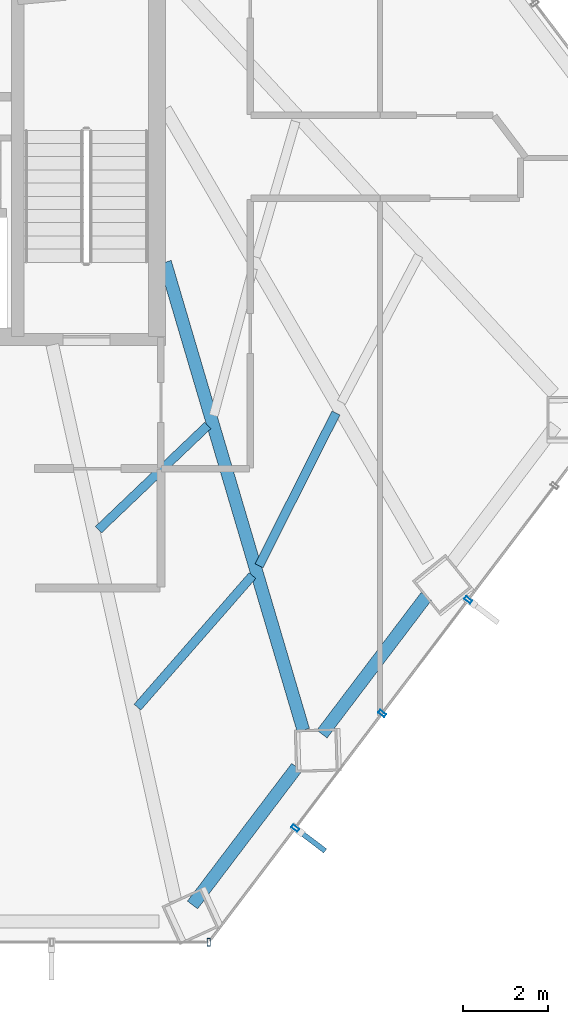
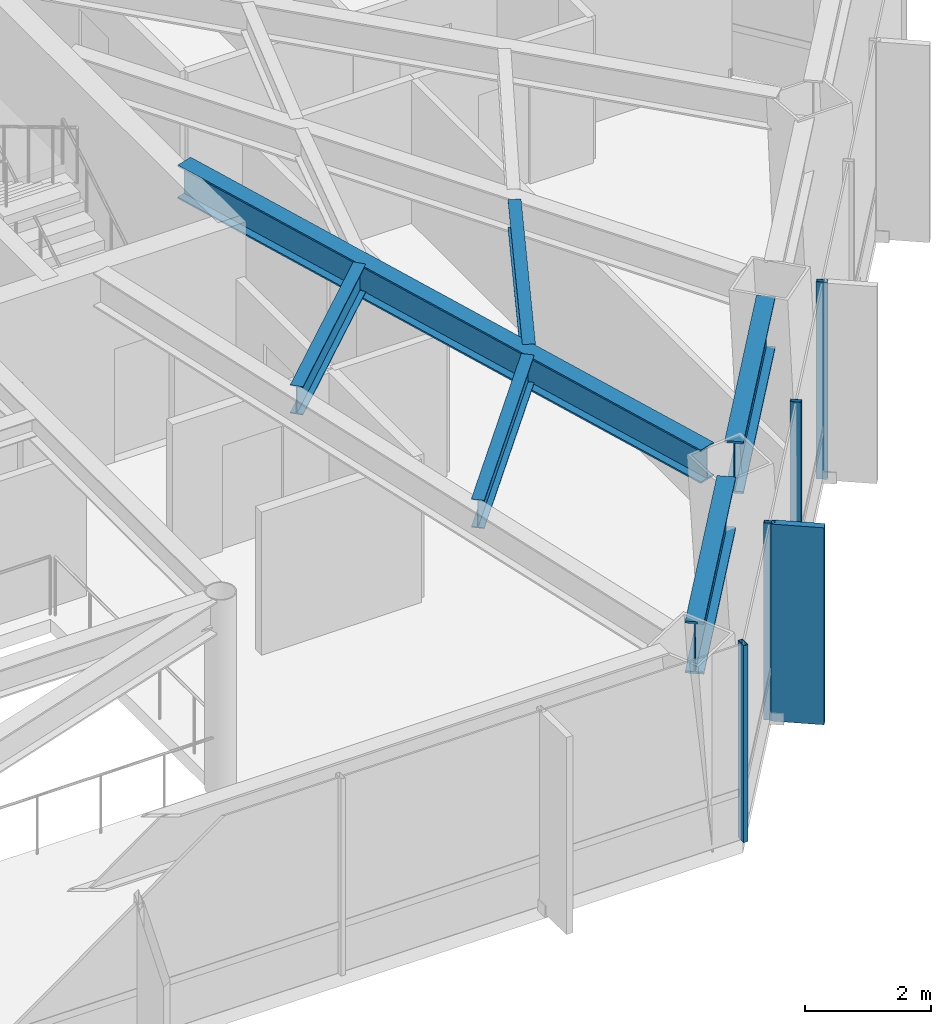
# One storey, part 18 of 27: 6 beams, 5 members, 2 elements without a shape of their own.
"""IFC4 building model written with IfcOpenShell, lengths in metres."""

from ifc_helpers import new_model, si_unit, direction, frame, origin, origin_2d, place, context, subcontext, project, spatial, rectangle, hollow_rectangle, i_section, extrude, material, layer, layer_set, material_profile, profile_set, type_object, element, aggregate, save


model = new_model("IFC4")

# Units and contexts
model_context = context("Model", 3, precision=1e-05, world=origin(), true_north=direction((0.0, 1.0)))
body_context = subcontext(model_context, "Body", "Model", "MODEL_VIEW")
ifc_project = project(units=[si_unit("LENGTHUNIT", "METRE"), si_unit("AREAUNIT", "SQUARE_METRE"), si_unit("VOLUMEUNIT", "CUBIC_METRE"), si_unit("PLANEANGLEUNIT", "RADIAN"), si_unit("MASSUNIT", "GRAM", prefix="KILO")], contexts=[model_context])

# Site, building, storey
site_placement = place(None, origin())
site = spatial("IfcSite", under=ifc_project, at=site_placement, CompositionType="ELEMENT")
building_placement = place(site_placement, origin())
building = spatial("IfcBuilding", under=site, at=building_placement, Name="Zarrinselat Tower", CompositionType="ELEMENT")
storey_placement = place(building_placement, frame((0.0, 0.0, 47.93994140625)))
storey = spatial("IfcBuildingStorey", under=building, at=storey_placement, Name="L11", CompositionType="ELEMENT", Elevation=47.93994140625)

# Beams
ifc_material_1 = material(Name="Steel S355J2", Category="steel")
ifc_material_profile_1 = material_profile(ifc_material_1, i_section(OverallWidth=0.300048828125, OverallDepth=0.64990234375, WebThickness=0.01611328125, FlangeThickness=0.031005859375, at=origin_2d()), Name="HEB 650")
ifc_profile_set_1 = profile_set([ifc_material_profile_1], Name="Steel S355J2")
beam_type_1 = type_object("IfcBeamType", Name="BM-HEB650", PredefinedType="BEAM", material=ifc_profile_set_1)
beam_1_placement = place(storey_placement, frame((48.449951171875, 35.0, 3.4951171875), z_axis=(0.283345695838, -0.959017839589, 0.0), x_axis=(0.959017839589, 0.283345695838, 0.0)))
element("IfcBeam", 1, at=beam_1_placement, inside=storey, type_object=beam_type_1, Name="L11 Radial Primary Girder RG12", PredefinedType="BEAM", context=body_context, shape_type="SweptSolid", body=[
    extrude(i_section(OverallWidth=0.300048828125, OverallDepth=0.64990234375, WebThickness=0.01611328125, FlangeThickness=0.031005859375, at=origin_2d()), origin(), (0.0, 0.0, 1.0), 11.463134765625),
])
ifc_material_2 = material(Name="Steel S460M", Category="steel")
ifc_material_profile_2 = material_profile(ifc_material_2, i_section(OverallWidth=0.302001953125, OverallDepth=1.008056640625, WebThickness=0.02099609375, FlangeThickness=0.0400390625, at=origin_2d()), Name="HEM 1000")
ifc_profile_set_2 = profile_set([ifc_material_profile_2], Name="Steel S460M")
beam_type_2 = type_object("IfcBeamType", Name="BM-HEM1000", PredefinedType="BEAM", material=ifc_profile_set_2)
beam_2_placement = place(storey_placement, frame((49.09423828125, 19.900634765625, 3.316162109375), z_axis=(0.603851898096, 0.797096534409, 0.0), x_axis=(-0.797096534409, 0.603851898096, 0.0)))
element("IfcBeam", 2, at=beam_2_placement, inside=storey, type_object=beam_type_2, Name="L11 Perimeter Spandrel Girder SP11", PredefinedType="BEAM", context=body_context, shape_type="SweptSolid", body=[
    extrude(i_section(OverallWidth=0.302001953125, OverallDepth=1.008056640625, WebThickness=0.02099609375, FlangeThickness=0.0400390625, at=origin_2d()), origin(), (0.0, 0.0, 1.0), 4.059326171875),
])
beam_3_placement = place(storey_placement, frame((52.135009765625, 23.914306640625, 3.316162109375), z_axis=(0.60381368236, 0.797125483845, 0.0), x_axis=(-0.797125483845, 0.60381368236, 0.0)))
element("IfcBeam", 3, at=beam_3_placement, inside=storey, type_object=beam_type_2, Name="L11 Perimeter Spandrel Girder SP12", PredefinedType="BEAM", context=body_context, shape_type="SweptSolid", body=[
    extrude(i_section(OverallWidth=0.302001953125, OverallDepth=1.008056640625, WebThickness=0.02099609375, FlangeThickness=0.0400390625, at=origin_2d()), origin(), (0.0, 0.0, 1.0), 4.05908203125),
])
ifc_material_3 = material(Name="Steel S355J2", Category="steel")
ifc_material_profile_3 = material_profile(ifc_material_3, i_section(OverallWidth=0.2099609375, OverallDepth=0.550048828125, WebThickness=0.010986328125, FlangeThickness=0.01708984375, at=origin_2d()), Name="IPE 550")
ifc_profile_set_3 = profile_set([ifc_material_profile_3], Name="Steel S355J2")
beam_type_3 = type_object("IfcBeamType", Name="BM-IPE550", PredefinedType="JOIST", material=ifc_profile_set_3)
beam_4_placement = place(storey_placement, frame((47.80029296875, 24.547119140625, 3.545166015625), z_axis=(0.657965582387, 0.753048001388, 0.0), x_axis=(-0.753048001388, 0.657965582387, 0.0)))
element("IfcBeam", 4, at=beam_4_placement, inside=storey, type_object=beam_type_3, Name="L11 Composite Floor Joist 3-1", PredefinedType="JOIST", context=body_context, shape_type="SweptSolid", body=[
    extrude(i_section(OverallWidth=0.2099609375, OverallDepth=0.550048828125, WebThickness=0.010986328125, FlangeThickness=0.01708984375, at=origin_2d()), origin(), (0.0, 0.0, 1.0), 4.105712890625),
])
beam_5_placement = place(storey_placement, frame((46.88427734375, 28.716796875, 3.545166015625), z_axis=(0.723794274198, 0.690015832165, 0.0), x_axis=(-0.690015832165, 0.723794274198, 0.0)))
element("IfcBeam", 5, at=beam_5_placement, inside=storey, type_object=beam_type_3, Name="L11 Composite Floor Joist 3-2", PredefinedType="JOIST", context=body_context, shape_type="SweptSolid", body=[
    extrude(i_section(OverallWidth=0.2099609375, OverallDepth=0.550048828125, WebThickness=0.010986328125, FlangeThickness=0.01708984375, at=origin_2d()), origin(), (0.0, 0.0, 1.0), 3.548828125),
])
beam_6_placement = place(storey_placement, frame((50.656494140625, 27.869384765625, 3.545166015625), z_axis=(0.449713289447, 0.893172971655, 0.0), x_axis=(-0.893172971655, 0.449713289447, 0.0)))
element("IfcBeam", 6, at=beam_6_placement, inside=storey, type_object=beam_type_3, Name="L11 Composite Floor Joist 4-1", PredefinedType="JOIST", context=body_context, shape_type="SweptSolid", body=[
    extrude(i_section(OverallWidth=0.2099609375, OverallDepth=0.550048828125, WebThickness=0.010986328125, FlangeThickness=0.01708984375, at=origin_2d()), origin(), (0.0, 0.0, 1.0), 4.02099609375),
])

# Curtain wall, member
ifc_material_4 = material(Name="Extruded Aluminium Alloy EN AW-6063 T6", Category="aluminium")
ifc_layer = layer(ifc_material_4, 0.18505859375)
ifc_layer_set = layer_set([ifc_layer], Name="Extruded Aluminium Alloy EN AW-6063 T6")
curtain_wall_type = type_object("IfcCurtainWallType", Name="CWS-OFF", PredefinedType="NOTDEFINED", material=ifc_layer_set)
curtain_wall_1_placement = place(storey_placement, origin())
curtain_wall_1 = element("IfcCurtainWall", 7, at=curtain_wall_1_placement, inside=storey, type_object=curtain_wall_type, Name="L11 Unitised Curtain Wall CW-L11-E04", PredefinedType="NOTDEFINED")
ifc_material_5 = material(Name="Extruded Aluminium Alloy EN AW-6063 T6", Category="aluminium")
ifc_material_profile_4 = material_profile(ifc_material_5, hollow_rectangle(XDim=0.080078125, YDim=0.179931640625, WallThickness=0.0048828125, at=origin_2d()), Name="RHS 180x80x5")
ifc_profile_set_4 = profile_set([ifc_material_profile_4], Name="Extruded Aluminium Alloy EN AW-6063 T6")
member_type_1 = type_object("IfcMemberType", Name="MEM-CW-MUL", PredefinedType="MULLION", material=ifc_profile_set_4)
member_1_placement = place(storey_placement, frame((49.474609375, 19.02294921875, 0.0), z_axis=(0.0, 0.0, 1.0), x_axis=(1.0, 0.0, 0.0)))
member_1 = element("IfcMember", 8, at=member_1_placement, type_object=member_type_1, Name="CW-L11-E04 Mullion 6", PredefinedType="MULLION", context=body_context, shape_type="SweptSolid", body=[
    extrude(hollow_rectangle(XDim=0.080078125, YDim=0.179931640625, WallThickness=0.0048828125, at=origin_2d()), origin(), (0.0, 0.0, 1.0), 3.820068359375),
])
aggregate(curtain_wall_1, [member_1])

# Curtain wall, members
curtain_wall_2_placement = place(storey_placement, origin())
curtain_wall_2 = element("IfcCurtainWall", 9, at=curtain_wall_2_placement, inside=storey, type_object=curtain_wall_type, Name="L11 Unitised Curtain Wall CW-L11-E05", PredefinedType="NOTDEFINED")
member_2_placement = place(storey_placement, frame((51.505859375, 21.7041015625, 0.0), z_axis=(0.0, 0.0, 1.0), x_axis=(0.603859118859, 0.797091064164, 0.0)))
member_2 = element("IfcMember", 10, at=member_2_placement, type_object=member_type_1, Name="CW-L11-E05 Mullion 1", PredefinedType="MULLION", context=body_context, shape_type="SweptSolid", body=[
    extrude(hollow_rectangle(XDim=0.080078125, YDim=0.179931640625, WallThickness=0.0048828125, at=origin_2d()), origin(), (0.0, 0.0, 1.0), 3.820068359375),
])
member_3_placement = place(storey_placement, frame((53.5478515625, 24.399658203125, 0.0), z_axis=(0.0, 0.0, 1.0), x_axis=(0.603859118859, 0.797091064164, 0.0)))
member_3 = element("IfcMember", 11, at=member_3_placement, type_object=member_type_1, Name="CW-L11-E05 Mullion 2", PredefinedType="MULLION", context=body_context, shape_type="SweptSolid", body=[
    extrude(hollow_rectangle(XDim=0.080078125, YDim=0.179931640625, WallThickness=0.0048828125, at=origin_2d()), origin(), (0.0, 0.0, 1.0), 3.820068359375),
])
member_4_placement = place(storey_placement, frame((55.568603515625, 27.06689453125, 0.0), z_axis=(0.0, 0.0, 1.0), x_axis=(0.603859118859, 0.797091064164, 0.0)))
member_4 = element("IfcMember", 12, at=member_4_placement, type_object=member_type_1, Name="CW-L11-E05 Mullion 3", PredefinedType="MULLION", context=body_context, shape_type="SweptSolid", body=[
    extrude(hollow_rectangle(XDim=0.080078125, YDim=0.179931640625, WallThickness=0.0048828125, at=origin_2d()), origin(), (0.0, 0.0, 1.0), 3.820068359375),
])
ifc_material_6 = material(Name="Honed Cream Travertine Stone", Category="masonry")
ifc_material_profile_5 = material_profile(ifc_material_6, rectangle(XDim=0.1201171875, YDim=0.85009765625, at=origin_2d()), Name="FIN 850x120")
ifc_profile_set_5 = profile_set([ifc_material_profile_5], Name="Honed Cream Travertine Stone")
member_type_2 = type_object("IfcMemberType", Name="MEM-STONE-FIN", PredefinedType="USERDEFINED", material=ifc_profile_set_5)
member_5_placement = place(storey_placement, frame((51.87255859375, 21.426513671875, 0.0), z_axis=(0.0, 0.0, 1.0), x_axis=(-0.603859118859, -0.797091064164, 0.0)))
member_5 = element("IfcMember", 13, at=member_5_placement, type_object=member_type_2, Name="L11 Stone Shading Fin CW-L11-E05-01", ObjectType="FIN", PredefinedType="USERDEFINED", context=body_context, shape_type="SweptSolid", body=[
    extrude(rectangle(XDim=0.1201171875, YDim=0.85009765625, at=origin_2d()), origin(), (0.0, 0.0, 1.0), 3.820068359375),
])
aggregate(curtain_wall_2, [member_2, member_5, member_3, member_4])

save(model, "model.ifc")
